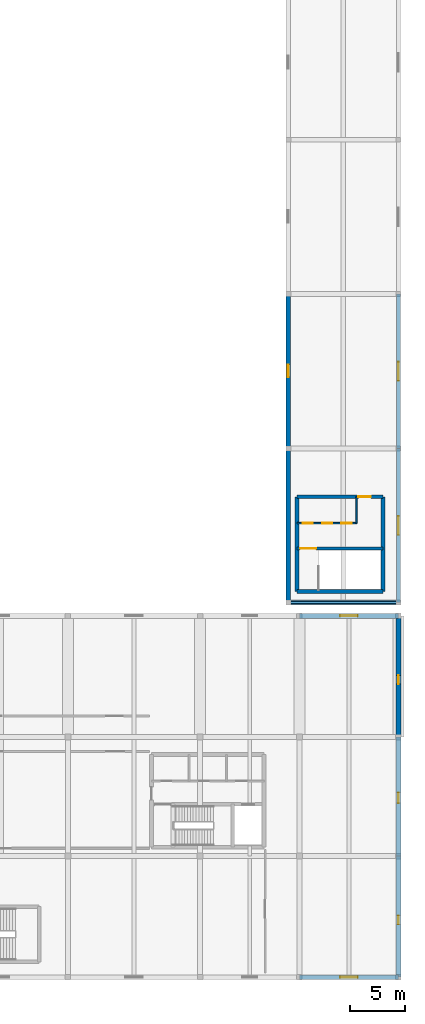
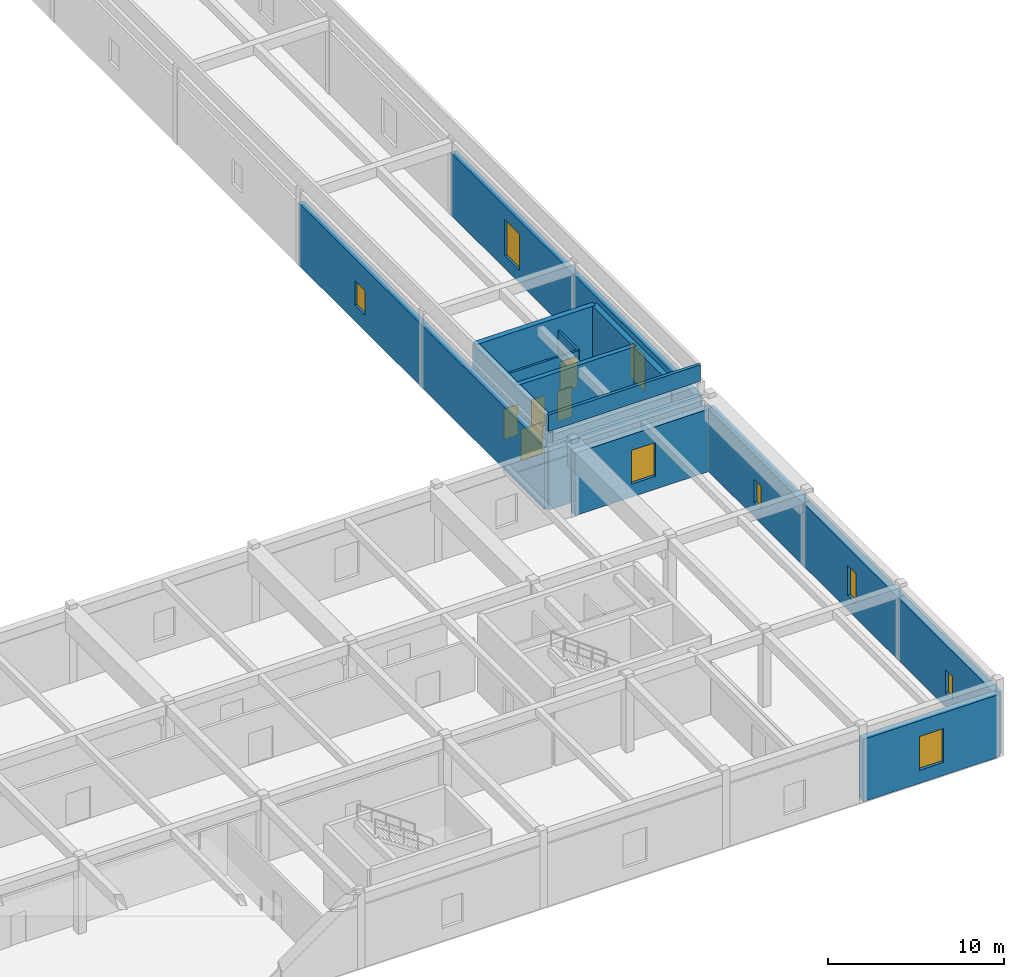
# One storey, part 84 of 97: 18 walls, 8 windows, 5 doors, 13 openings.
"""IFC4 building model written with IfcOpenShell, lengths in metres."""

from ifc_helpers import new_model, si_unit, derived_unit, direction, frame, frame_2d, origin, place, context, subcontext, project, spatial, rectangle, extrude, material, layer, layer_set, type_object, element, fill, save


model = new_model("IFC4")

# Units and contexts
model_context = context("Model", 3, precision=1e-05, world=origin(), true_north=direction((0.0, 1.0)))
body_context = subcontext(model_context, "Body", "Model", "MODEL_VIEW")
ifc_project = project(units=[si_unit("LENGTHUNIT", "METRE"), si_unit("AREAUNIT", "SQUARE_METRE"), si_unit("VOLUMEUNIT", "CUBIC_METRE"), si_unit("PLANEANGLEUNIT", "RADIAN"), si_unit("MASSUNIT", "GRAM", prefix="KILO"), derived_unit("THERMALTRANSMITTANCEUNIT", [(si_unit("POWERUNIT", "WATT"), 1), (si_unit("LENGTHUNIT", "METRE"), -2), (si_unit("THERMODYNAMICTEMPERATUREUNIT", "KELVIN"), -1)])], contexts=[model_context])

# Site, building, storey
site_placement = place(None, origin())
site = spatial("IfcSite", under=ifc_project, at=site_placement, CompositionType="ELEMENT")
building_placement = place(site_placement, origin())
building = spatial("IfcBuilding", under=site, at=building_placement, Name="Almenara Railside Exhibition Hall", CompositionType="ELEMENT")
storey_placement = place(building_placement, frame((0.0, 0.0, 10.800048828125)))
storey = spatial("IfcBuildingStorey", under=building, at=storey_placement, Name="L02", CompositionType="ELEMENT", Elevation=10.800048828125)

# Wall
ifc_material_1 = material(Name="Concrete C35/45", Category="concrete")
ifc_layer_1 = layer(ifc_material_1, 0.35009765625, Name="Concrete C35/45")
ifc_layer_set_1 = layer_set([ifc_layer_1], Name="Concrete C35/45")
wall_type_1 = type_object("IfcWallType", Name="Core Coupled Shear Wall 350mm C35/45", PredefinedType="SHEAR", material=ifc_layer_set_1)
wall_1_placement = place(storey_placement, frame((194.800048828125, 35.0, 0.0), z_axis=(0.0, 0.0, 1.0), x_axis=(1.0, 0.0, 0.0)))
element("IfcWall", 1, at=wall_1_placement, inside=storey, type_object=wall_type_1, Name="Interior wall 0258", PredefinedType="SHEAR", context=body_context, shape_type="SweptSolid", body=[
    extrude(rectangle(XDim=7.800048828125, YDim=0.35009765625, at=frame_2d((3.89990234375, 0.0))), origin(), (0.0, 0.0, 1.0), 5.39990234375),
])

# Wall, opening, door
wall_2_placement = place(storey_placement, frame((202.60009765625, 43.60009765625, 0.0), z_axis=(0.0, 0.0, 1.0), x_axis=(-1.0, 0.0, 0.0)))
wall_2 = element("IfcWall", 2, at=wall_2_placement, inside=storey, type_object=wall_type_1, Name="Interior wall 0259", PredefinedType="SHEAR", context=body_context, shape_type="SweptSolid", body=[
    extrude(rectangle(XDim=7.800048828125, YDim=0.35009765625, at=frame_2d((3.89990234375, 0.0))), origin(), (0.0, 0.0, 1.0), 5.39990234375),
])
opening_1_placement = place(wall_2_placement, frame((1.10009765625, 0.0, 0.0)))
opening_1 = element("IfcOpeningElement", 3, at=opening_1_placement, cuts=wall_2, Name="Opening FD-115", PredefinedType="OPENING", context=body_context, shape_type="SweptSolid", body=[
    extrude(rectangle(XDim=1.14990234375, YDim=2.14990234375, at=frame_2d((0.574951171875, 1.074951171875))), frame((0.0, 0.18505859375, 0.0), z_axis=(0.0, -1.0, 0.0), x_axis=(1.0, 0.0, 0.0)), (0.0, 0.0, 1.0), 0.3701171875),
])
ifc_material_2 = material(Name="Fire-rated iroko timber door", Category="wood")
door_type_1 = type_object("IfcDoorType", Name="Core Lobby Fire Door 1150x2150 EI60", OperationType="NOTDEFINED", PredefinedType="DOOR", material=ifc_material_2)
door_1_placement = place(opening_1_placement, origin())
door_1 = element("IfcDoor", 4, at=door_1_placement, inside=storey, type_object=door_type_1, Name="Interior door FD-115-173", OperationType="SINGLE_SWING_LEFT", OverallHeight=2.14990234375, OverallWidth=1.14990234375, PredefinedType="DOOR", context=body_context, shape_type="SweptSolid", body=[
    extrude(rectangle(XDim=1.14990234375, YDim=2.14990234375, at=frame_2d((0.574951171875, 1.074951171875))), frame((0.0, 0.02490234375, 0.0), z_axis=(0.0, -1.0, 0.0), x_axis=(1.0, 0.0, 0.0)), (0.0, 0.0, 1.0), 0.050048828125),
])
fill(opening_1, door_1)

# Walls
for number, where, z_axis, x_axis, name in (
    (5, (194.800048828125, 43.60009765625, 0.0), (0.0, 0.0, 1.0), (0.0, -1.0, 0.0), "Interior wall 0260"),
    (6, (202.60009765625, 35.0, 0.0), (0.0, 0.0, 1.0), (0.0, 1.0, 0.0), "Interior wall 0261"),
):
    element("IfcWall", number, at=place(storey_placement, frame(where, z_axis=z_axis, x_axis=x_axis)), inside=storey, type_object=wall_type_1, Name=name, PredefinedType="SHEAR", context=body_context, shape_type="SweptSolid", body=[
        extrude(rectangle(XDim=8.60009765625, YDim=0.35009765625, at=frame_2d((4.300048828125, 0.0))), origin(), (0.0, 0.0, 1.0), 5.39990234375),
    ])

# Wall, opening, window
ifc_material_3 = material(Name="Ochre-white lime-rendered masonry over Concrete C35/45", Category="masonry")
ifc_layer_2 = layer(ifc_material_3, 0.385009765625, Name="Ochre-white lime-rendered masonry over Concrete C35/45")
ifc_layer_set_2 = layer_set([ifc_layer_2], Name="Ochre-white lime-rendered masonry over Concrete C35/45")
wall_type_2 = type_object("IfcWallType", Name="Exterior Arcade Spandrel Wall 385mm C35/45", PredefinedType="SOLIDWALL", material=ifc_layer_set_2)
wall_3_placement = place(storey_placement, frame((204.0, 34.0, 0.0), z_axis=(0.0, 0.0, 1.0), x_axis=(0.0, 1.0, 0.0)))
wall_3 = element("IfcWall", 7, at=wall_3_placement, inside=storey, type_object=wall_type_2, Name="Exterior wall 0266", PredefinedType="SOLIDWALL", context=body_context, shape_type="SweptSolid", body=[
    extrude(rectangle(XDim=14.0, YDim=0.385009765625, at=frame_2d((7.0, 0.0))), origin(), (0.0, 0.0, 1.0), 4.349853515625),
])
opening_2_placement = place(wall_3_placement, frame((6.14990234375, 0.0, 0.89990234375)))
opening_2 = element("IfcOpeningElement", 8, at=opening_2_placement, cuts=wall_3, Name="Opening W-06", PredefinedType="OPENING", context=body_context, shape_type="SweptSolid", body=[
    extrude(rectangle(XDim=1.699951171875, YDim=2.5, at=frame_2d((0.85009765625, 1.25))), frame((0.0, 0.202392578125, 0.0), z_axis=(0.0, -1.0, 0.0), x_axis=(1.0, 0.0, 0.0)), (0.0, 0.0, 1.0), 0.405029296875),
])
ifc_material_4 = material(Name="Bronze-anodised aluminium and low-E double glazing", Category="aluminium")
window_type_1 = type_object("IfcWindowType", Name="East Gallery Arched Window 1700x2500", PartitioningType="DOUBLE_PANEL_VERTICAL", PredefinedType="WINDOW", material=ifc_material_4)
window_1_placement = place(opening_2_placement, origin())
window_1 = element("IfcWindow", 9, at=window_1_placement, inside=storey, type_object=window_type_1, Name="Window 0112", OverallHeight=2.5, OverallWidth=1.699951171875, PartitioningType="DOUBLE_PANEL_VERTICAL", PredefinedType="WINDOW", context=body_context, shape_type="SweptSolid", body=[
    extrude(rectangle(XDim=1.699951171875, YDim=2.5, at=frame_2d((0.85009765625, 1.25))), frame((0.0, 0.030029296875, 0.0), z_axis=(0.0, -1.0, 0.0), x_axis=(1.0, 0.0, 0.0)), (0.0, 0.0, 1.0), 0.06005859375),
])
fill(opening_2, window_1)

# Wall
wall_4_placement = place(storey_placement, frame((194.0, 48.0, 0.0), z_axis=(0.0, 0.0, 1.0), x_axis=(0.0, -1.0, 0.0)))
element("IfcWall", 10, at=wall_4_placement, inside=storey, type_object=wall_type_2, Name="Exterior wall 0267", PredefinedType="SOLIDWALL", context=body_context, shape_type="SweptSolid", body=[
    extrude(rectangle(XDim=14.0, YDim=0.385009765625, at=frame_2d((7.0, 0.0))), origin(), (0.0, 0.0, 1.0), 4.349853515625),
])

# Wall, opening, window
wall_5_placement = place(storey_placement, frame((204.0, 48.0, 0.0), z_axis=(0.0, 0.0, 1.0), x_axis=(0.0, 1.0, 0.0)))
wall_5 = element("IfcWall", 11, at=wall_5_placement, inside=storey, type_object=wall_type_2, Name="Exterior wall 0268", PredefinedType="SOLIDWALL", context=body_context, shape_type="SweptSolid", body=[
    extrude(rectangle(XDim=14.0, YDim=0.385009765625, at=frame_2d((7.0, 0.0))), origin(), (0.0, 0.0, 1.0), 4.349853515625),
])
opening_3_placement = place(wall_5_placement, frame((6.14990234375, 0.0, 0.89990234375)))
opening_3 = element("IfcOpeningElement", 12, at=opening_3_placement, cuts=wall_5, Name="Opening W-06", PredefinedType="OPENING", context=body_context, shape_type="SweptSolid", body=[
    extrude(rectangle(XDim=1.699951171875, YDim=2.5, at=frame_2d((0.85009765625, 1.25))), frame((0.0, 0.202392578125, 0.0), z_axis=(0.0, -1.0, 0.0), x_axis=(1.0, 0.0, 0.0)), (0.0, 0.0, 1.0), 0.405029296875),
])
window_2_placement = place(opening_3_placement, origin())
window_2 = element("IfcWindow", 13, at=window_2_placement, inside=storey, type_object=window_type_1, Name="Window 0113", OverallHeight=2.5, OverallWidth=1.699951171875, PartitioningType="DOUBLE_PANEL_VERTICAL", PredefinedType="WINDOW", context=body_context, shape_type="SweptSolid", body=[
    extrude(rectangle(XDim=1.699951171875, YDim=2.5, at=frame_2d((0.85009765625, 1.25))), frame((0.0, 0.030029296875, 0.0), z_axis=(0.0, -1.0, 0.0), x_axis=(1.0, 0.0, 0.0)), (0.0, 0.0, 1.0), 0.06005859375),
])
fill(opening_3, window_2)

wall_6_placement = place(storey_placement, frame((194.0, 62.0, 0.0), z_axis=(0.0, 0.0, 1.0), x_axis=(0.0, -1.0, 0.0)))
wall_6 = element("IfcWall", 14, at=wall_6_placement, inside=storey, type_object=wall_type_2, Name="Exterior wall 0269", PredefinedType="SOLIDWALL", context=body_context, shape_type="SweptSolid", body=[
    extrude(rectangle(XDim=14.0, YDim=0.385009765625, at=frame_2d((7.0, 0.0))), origin(), (0.0, 0.0, 1.0), 4.349853515625),
])
opening_4_placement = place(wall_6_placement, frame((6.39990234375, 0.0, 1.10009765625)))
opening_4 = element("IfcOpeningElement", 15, at=opening_4_placement, cuts=wall_6, Name="Opening W-11", PredefinedType="OPENING", context=body_context, shape_type="SweptSolid", body=[
    extrude(rectangle(XDim=1.14990234375, YDim=1.699951171875, at=frame_2d((0.574951171875, 0.85009765625))), frame((0.0, 0.202392578125, 0.0), z_axis=(0.0, -1.0, 0.0), x_axis=(1.0, 0.0, 0.0)), (0.0, 0.0, 1.0), 0.405029296875),
])
window_type_2 = type_object("IfcWindowType", Name="South Gallery Punched Window 1150x1700", PartitioningType="SINGLE_PANEL", PredefinedType="WINDOW", material=ifc_material_4)
window_3_placement = place(opening_4_placement, origin())
window_3 = element("IfcWindow", 16, at=window_3_placement, inside=storey, type_object=window_type_2, Name="Window 0114", OverallHeight=1.699951171875, OverallWidth=1.14990234375, PartitioningType="SINGLE_PANEL", PredefinedType="WINDOW", context=body_context, shape_type="SweptSolid", body=[
    extrude(rectangle(XDim=1.14990234375, YDim=1.699951171875, at=frame_2d((0.574951171875, 0.85009765625))), frame((0.0, 0.030029296875, 0.0), z_axis=(0.0, -1.0, 0.0), x_axis=(1.0, 0.0, 0.0)), (0.0, 0.0, 1.0), 0.06005859375),
])
fill(opening_4, window_3)

# Wall
wall_7_placement = place(storey_placement, frame((194.0, 34.0, 0.0), z_axis=(0.0, 0.0, 1.0), x_axis=(1.0, 0.0, 0.0)))
element("IfcWall", 17, at=wall_7_placement, inside=storey, type_object=wall_type_2, Name="Exterior wall 0278", PredefinedType="SOLIDWALL", context=body_context, shape_type="SweptSolid", body=[
    extrude(rectangle(XDim=10.0, YDim=0.385009765625, at=frame_2d((5.0, 0.0))), origin(), (0.0, 0.0, 1.0), 4.349853515625),
])

# Wall, opening, window
ifc_layer_3 = layer(ifc_material_3, 0.449951171875, Name="Ochre-white lime-rendered masonry over Concrete C35/45")
ifc_layer_set_3 = layer_set([ifc_layer_3], Name="Ochre-white lime-rendered masonry over Concrete C35/45")
wall_type_3 = type_object("IfcWallType", Name="Exterior Civic Stucco Wall 450mm C35/45", PredefinedType="SOLIDWALL", material=ifc_layer_set_3)
wall_8_placement = place(storey_placement, frame((195.0, 0.0, 0.0), z_axis=(0.0, 0.0, 1.0), x_axis=(1.0, 0.0, 0.0)))
wall_8 = element("IfcWall", 18, at=wall_8_placement, inside=storey, type_object=wall_type_3, Name="Exterior wall 0258", PredefinedType="SOLIDWALL", context=body_context, shape_type="SweptSolid", body=[
    extrude(rectangle(XDim=9.0, YDim=0.449951171875, at=frame_2d((4.5, 0.0))), origin(), (0.0, 0.0, 1.0), 4.349853515625),
])
opening_5_placement = place(wall_8_placement, frame((3.699951171875, 0.0, 0.89990234375)))
opening_5 = element("IfcOpeningElement", 19, at=opening_5_placement, cuts=wall_8, Name="Opening W-07", PredefinedType="OPENING", context=body_context, shape_type="SweptSolid", body=[
    extrude(rectangle(XDim=1.60009765625, YDim=2.35009765625, at=frame_2d((0.800048828125, 1.175048828125))), frame((0.0, 0.23486328125, 0.0), z_axis=(0.0, -1.0, 0.0), x_axis=(1.0, 0.0, 0.0)), (0.0, 0.0, 1.0), 0.469970703125),
])
window_type_3 = type_object("IfcWindowType", Name="Belvedere Casement Window 1600x2350", PartitioningType="DOUBLE_PANEL_VERTICAL", PredefinedType="WINDOW", material=ifc_material_4)
window_4_placement = place(opening_5_placement, origin())
window_4 = element("IfcWindow", 20, at=window_4_placement, inside=storey, type_object=window_type_3, Name="Window 0107", OverallHeight=2.35009765625, OverallWidth=1.60009765625, PartitioningType="DOUBLE_PANEL_VERTICAL", PredefinedType="WINDOW", context=body_context, shape_type="SweptSolid", body=[
    extrude(rectangle(XDim=1.60009765625, YDim=2.35009765625, at=frame_2d((0.800048828125, 1.175048828125))), frame((0.0, 0.030029296875, 0.0), z_axis=(0.0, -1.0, 0.0), x_axis=(1.0, 0.0, 0.0)), (0.0, 0.0, 1.0), 0.06005859375),
])
fill(opening_5, window_4)

wall_9_placement = place(storey_placement, frame((204.0, 32.800048828125, 0.0), z_axis=(0.0, 0.0, 1.0), x_axis=(-1.0, 0.0, 0.0)))
wall_9 = element("IfcWall", 21, at=wall_9_placement, inside=storey, type_object=wall_type_3, Name="Exterior wall 0259", PredefinedType="SOLIDWALL", context=body_context, shape_type="SweptSolid", body=[
    extrude(rectangle(XDim=9.0, YDim=0.449951171875, at=frame_2d((4.5, 0.0))), origin(), (0.0, 0.0, 1.0), 4.349853515625),
])
opening_6_placement = place(wall_9_placement, frame((3.699951171875, 0.0, 0.89990234375)))
opening_6 = element("IfcOpeningElement", 22, at=opening_6_placement, cuts=wall_9, Name="Opening W-07", PredefinedType="OPENING", context=body_context, shape_type="SweptSolid", body=[
    extrude(rectangle(XDim=1.60009765625, YDim=2.35009765625, at=frame_2d((0.800048828125, 1.175048828125))), frame((0.0, 0.23486328125, 0.0), z_axis=(0.0, -1.0, 0.0), x_axis=(1.0, 0.0, 0.0)), (0.0, 0.0, 1.0), 0.469970703125),
])
window_5_placement = place(opening_6_placement, origin())
window_5 = element("IfcWindow", 23, at=window_5_placement, inside=storey, type_object=window_type_3, Name="Window 0108", OverallHeight=2.35009765625, OverallWidth=1.60009765625, PartitioningType="DOUBLE_PANEL_VERTICAL", PredefinedType="WINDOW", context=body_context, shape_type="SweptSolid", body=[
    extrude(rectangle(XDim=1.60009765625, YDim=2.35009765625, at=frame_2d((0.800048828125, 1.175048828125))), frame((0.0, 0.030029296875, 0.0), z_axis=(0.0, -1.0, 0.0), x_axis=(1.0, 0.0, 0.0)), (0.0, 0.0, 1.0), 0.06005859375),
])
fill(opening_6, window_5)

wall_10_placement = place(storey_placement, frame((204.0, 0.0, 0.0), z_axis=(0.0, 0.0, 1.0), x_axis=(0.0, 1.0, 0.0)))
wall_10 = element("IfcWall", 24, at=wall_10_placement, inside=storey, type_object=wall_type_3, Name="Exterior wall 0260", PredefinedType="SOLIDWALL", context=body_context, shape_type="SweptSolid", body=[
    extrude(rectangle(XDim=11.0, YDim=0.449951171875, at=frame_2d((5.5, 0.0))), origin(), (0.0, 0.0, 1.0), 4.349853515625),
])
opening_7_placement = place(wall_10_placement, frame((4.800048828125, 0.0, 1.0)))
opening_7 = element("IfcOpeningElement", 25, at=opening_7_placement, cuts=wall_10, Name="Opening W-13", PredefinedType="OPENING", context=body_context, shape_type="SweptSolid", body=[
    extrude(rectangle(XDim=0.800048828125, YDim=1.60009765625, at=frame_2d((0.39990234375, 0.800048828125))), frame((0.0, 0.23486328125, 0.0), z_axis=(0.0, -1.0, 0.0), x_axis=(1.0, 0.0, 0.0)), (0.0, 0.0, 1.0), 0.469970703125),
])
window_type_4 = type_object("IfcWindowType", Name="Service Core Slot Window 800x1600", PartitioningType="SINGLE_PANEL", PredefinedType="WINDOW", material=ifc_material_4)
window_6_placement = place(opening_7_placement, origin())
window_6 = element("IfcWindow", 26, at=window_6_placement, inside=storey, type_object=window_type_4, Name="Window 0109", OverallHeight=1.60009765625, OverallWidth=0.800048828125, PartitioningType="SINGLE_PANEL", PredefinedType="WINDOW", context=body_context, shape_type="SweptSolid", body=[
    extrude(rectangle(XDim=0.800048828125, YDim=1.60009765625, at=frame_2d((0.39990234375, 0.800048828125))), frame((0.0, 0.030029296875, 0.0), z_axis=(0.0, -1.0, 0.0), x_axis=(1.0, 0.0, 0.0)), (0.0, 0.0, 1.0), 0.06005859375),
])
fill(opening_7, window_6)

wall_11_placement = place(storey_placement, frame((204.0, 11.0, 0.0), z_axis=(0.0, 0.0, 1.0), x_axis=(0.0, 1.0, 0.0)))
wall_11 = element("IfcWall", 27, at=wall_11_placement, inside=storey, type_object=wall_type_3, Name="Exterior wall 0262", PredefinedType="SOLIDWALL", context=body_context, shape_type="SweptSolid", body=[
    extrude(rectangle(XDim=10.800048828125, YDim=0.449951171875, at=frame_2d((5.39990234375, 0.0))), origin(), (0.0, 0.0, 1.0), 4.349853515625),
])
opening_8_placement = place(wall_11_placement, frame((4.800048828125, 0.0, 1.0)))
opening_8 = element("IfcOpeningElement", 28, at=opening_8_placement, cuts=wall_11, Name="Opening W-12", PredefinedType="OPENING", context=body_context, shape_type="SweptSolid", body=[
    extrude(rectangle(XDim=0.949951171875, YDim=2.10009765625, at=frame_2d((0.47509765625, 1.050048828125))), frame((0.0, 0.23486328125, 0.0), z_axis=(0.0, -1.0, 0.0), x_axis=(1.0, 0.0, 0.0)), (0.0, 0.0, 1.0), 0.469970703125),
])
window_type_5 = type_object("IfcWindowType", Name="Stair Core Daylight Window 950x2100", PartitioningType="SINGLE_PANEL", PredefinedType="WINDOW", material=ifc_material_4)
window_7_placement = place(opening_8_placement, origin())
window_7 = element("IfcWindow", 29, at=window_7_placement, inside=storey, type_object=window_type_5, Name="Window 0110", OverallHeight=2.10009765625, OverallWidth=0.949951171875, PartitioningType="SINGLE_PANEL", PredefinedType="WINDOW", context=body_context, shape_type="SweptSolid", body=[
    extrude(rectangle(XDim=0.949951171875, YDim=2.10009765625, at=frame_2d((0.47509765625, 1.050048828125))), frame((0.0, 0.030029296875, 0.0), z_axis=(0.0, -1.0, 0.0), x_axis=(1.0, 0.0, 0.0)), (0.0, 0.0, 1.0), 0.06005859375),
])
fill(opening_8, window_7)

wall_12_placement = place(storey_placement, frame((204.0, 21.800048828125, 0.0), z_axis=(0.0, 0.0, 1.0), x_axis=(0.0, 1.0, 0.0)))
wall_12 = element("IfcWall", 30, at=wall_12_placement, inside=storey, type_object=wall_type_3, Name="Exterior wall 0264", PredefinedType="SOLIDWALL", context=body_context, shape_type="SweptSolid", body=[
    extrude(rectangle(XDim=11.0, YDim=0.449951171875, at=frame_2d((5.5, 0.0))), origin(), (0.0, 0.0, 1.0), 4.349853515625),
])
opening_9_placement = place(wall_12_placement, frame((4.800048828125, 0.0, 1.0)))
opening_9 = element("IfcOpeningElement", 31, at=opening_9_placement, cuts=wall_12, Name="Opening W-13", PredefinedType="OPENING", context=body_context, shape_type="SweptSolid", body=[
    extrude(rectangle(XDim=0.800048828125, YDim=1.60009765625, at=frame_2d((0.39990234375, 0.800048828125))), frame((0.0, 0.23486328125, 0.0), z_axis=(0.0, -1.0, 0.0), x_axis=(1.0, 0.0, 0.0)), (0.0, 0.0, 1.0), 0.469970703125),
])
window_8_placement = place(opening_9_placement, origin())
window_8 = element("IfcWindow", 32, at=window_8_placement, inside=storey, type_object=window_type_4, Name="Window 0111", OverallHeight=1.60009765625, OverallWidth=0.800048828125, PartitioningType="SINGLE_PANEL", PredefinedType="WINDOW", context=body_context, shape_type="SweptSolid", body=[
    extrude(rectangle(XDim=0.800048828125, YDim=1.60009765625, at=frame_2d((0.39990234375, 0.800048828125))), frame((0.0, 0.030029296875, 0.0), z_axis=(0.0, -1.0, 0.0), x_axis=(1.0, 0.0, 0.0)), (0.0, 0.0, 1.0), 0.06005859375),
])
fill(opening_9, window_8)

# Wall, openings, doors
ifc_material_5 = material(Name="Moisture-resistant tiled masonry partition", Category="masonry")
ifc_layer_4 = layer(ifc_material_5, 0.139892578125, Name="Moisture-resistant tiled masonry partition")
ifc_layer_set_4 = layer_set([ifc_layer_4], Name="Moisture-resistant tiled masonry partition")
wall_type_4 = type_object("IfcWallType", Name="Sanitary Wet-Wall Partition 140mm", PredefinedType="PARTITIONING", material=ifc_layer_set_4)
wall_13_placement = place(storey_placement, frame((194.800048828125, 41.199951171875, 0.0), z_axis=(0.0, 0.0, 1.0), x_axis=(1.0, 0.0, 0.0)))
wall_13 = element("IfcWall", 33, at=wall_13_placement, inside=storey, type_object=wall_type_4, Name="Interior wall 0263", PredefinedType="PARTITIONING", context=body_context, shape_type="SweptSolid", body=[
    extrude(rectangle(XDim=5.39990234375, YDim=0.139892578125, at=frame_2d((2.699951171875, 0.0))), origin(), (0.0, 0.0, 1.0), 4.5),
])
opening_10_placement = place(wall_13_placement, frame((0.5, 0.0, 0.0)))
opening_10 = element("IfcOpeningElement", 34, at=opening_10_placement, cuts=wall_13, Name="Opening ID-09", PredefinedType="OPENING", context=body_context, shape_type="SweptSolid", body=[
    extrude(rectangle(XDim=0.89990234375, YDim=2.10009765625, at=frame_2d((0.449951171875, 1.050048828125))), frame((0.0, 0.079833984375, 0.0), z_axis=(0.0, -1.0, 0.0), x_axis=(1.0, 0.0, 0.0)), (0.0, 0.0, 1.0), 0.159912109375),
])
opening_11_placement = place(wall_13_placement, frame((2.300048828125, 0.0, 0.0)))
opening_11 = element("IfcOpeningElement", 35, at=opening_11_placement, cuts=wall_13, Name="Opening ID-09", PredefinedType="OPENING", context=body_context, shape_type="SweptSolid", body=[
    extrude(rectangle(XDim=0.89990234375, YDim=2.10009765625, at=frame_2d((0.449951171875, 1.050048828125))), frame((0.0, 0.079833984375, 0.0), z_axis=(0.0, -1.0, 0.0), x_axis=(1.0, 0.0, 0.0)), (0.0, 0.0, 1.0), 0.159912109375),
])
opening_12_placement = place(wall_13_placement, frame((4.0, 0.0, 0.0)))
opening_12 = element("IfcOpeningElement", 36, at=opening_12_placement, cuts=wall_13, Name="Opening ID-095", PredefinedType="OPENING", context=body_context, shape_type="SweptSolid", body=[
    extrude(rectangle(XDim=0.949951171875, YDim=2.10009765625, at=frame_2d((0.47509765625, 1.050048828125))), frame((0.0, 0.079833984375, 0.0), z_axis=(0.0, -1.0, 0.0), x_axis=(1.0, 0.0, 0.0)), (0.0, 0.0, 1.0), 0.159912109375),
])
ifc_material_6 = material(Name="Moisture-resistant hardwood door", Category="wood")
door_type_2 = type_object("IfcDoorType", Name="Accessible Toilet Door 950x2100", OperationType="NOTDEFINED", PredefinedType="DOOR", material=ifc_material_6)
door_2_placement = place(opening_12_placement, origin())
door_2 = element("IfcDoor", 37, at=door_2_placement, inside=storey, type_object=door_type_2, Name="Interior door ID-095-177", OperationType="SINGLE_SWING_RIGHT", OverallHeight=2.10009765625, OverallWidth=0.949951171875, PredefinedType="DOOR", context=body_context, shape_type="SweptSolid", body=[
    extrude(rectangle(XDim=0.949951171875, YDim=2.10009765625, at=frame_2d((0.47509765625, 1.050048828125))), frame((0.0, 0.02490234375, 0.0), z_axis=(0.0, -1.0, 0.0), x_axis=(1.0, 0.0, 0.0)), (0.0, 0.0, 1.0), 0.050048828125),
])
fill(opening_12, door_2)
door_type_3 = type_object("IfcDoorType", Name="Sanitary Lobby Single Door 900x2100", OperationType="NOTDEFINED", PredefinedType="DOOR", material=ifc_material_6)
door_3_placement = place(opening_10_placement, origin())
door_3 = element("IfcDoor", 38, at=door_3_placement, inside=storey, type_object=door_type_3, Name="Interior door ID-09-175", OperationType="SINGLE_SWING_RIGHT", OverallHeight=2.10009765625, OverallWidth=0.89990234375, PredefinedType="DOOR", context=body_context, shape_type="SweptSolid", body=[
    extrude(rectangle(XDim=0.89990234375, YDim=2.10009765625, at=frame_2d((0.449951171875, 1.050048828125))), frame((0.0, 0.02490234375, 0.0), z_axis=(0.0, -1.0, 0.0), x_axis=(1.0, 0.0, 0.0)), (0.0, 0.0, 1.0), 0.050048828125),
])
fill(opening_10, door_3)
door_4_placement = place(opening_11_placement, origin())
door_4 = element("IfcDoor", 39, at=door_4_placement, inside=storey, type_object=door_type_3, Name="Interior door ID-09-176", OperationType="SINGLE_SWING_LEFT", OverallHeight=2.10009765625, OverallWidth=0.89990234375, PredefinedType="DOOR", context=body_context, shape_type="SweptSolid", body=[
    extrude(rectangle(XDim=0.89990234375, YDim=2.10009765625, at=frame_2d((0.449951171875, 1.050048828125))), frame((0.0, 0.02490234375, 0.0), z_axis=(0.0, -1.0, 0.0), x_axis=(1.0, 0.0, 0.0)), (0.0, 0.0, 1.0), 0.050048828125),
])
fill(opening_11, door_4)

# Wall
wall_14_placement = place(storey_placement, frame((200.199951171875, 41.199951171875, 0.0), z_axis=(0.0, 0.0, 1.0), x_axis=(0.0, 1.0, 0.0)))
element("IfcWall", 40, at=wall_14_placement, inside=storey, type_object=wall_type_4, Name="Interior wall 0264", PredefinedType="PARTITIONING", context=body_context, shape_type="SweptSolid", body=[
    extrude(rectangle(XDim=2.400146484375, YDim=0.139892578125, at=frame_2d((1.2001953125, 0.0))), origin(), (0.0, 0.0, 1.0), 4.5),
])

# Wall, opening, door
ifc_layer_5 = layer(ifc_material_1, 0.300048828125, Name="Concrete C35/45")
ifc_layer_set_5 = layer_set([ifc_layer_5], Name="Concrete C35/45")
wall_type_5 = type_object("IfcWallType", Name="Stair and Lift Shaft Wall 300mm C35/45", PredefinedType="SHEAR", material=ifc_layer_set_5)
wall_15_placement = place(storey_placement, frame((194.800048828125, 38.89990234375, 0.0), z_axis=(0.0, 0.0, 1.0), x_axis=(1.0, 0.0, 0.0)))
wall_15 = element("IfcWall", 41, at=wall_15_placement, inside=storey, type_object=wall_type_5, Name="Interior wall 0262", PredefinedType="SHEAR", context=body_context, shape_type="SweptSolid", body=[
    extrude(rectangle(XDim=7.800048828125, YDim=0.300048828125, at=frame_2d((3.89990234375, 0.0))), origin(), (0.0, 0.0, 1.0), 5.39990234375),
])
opening_13_placement = place(wall_15_placement, frame((0.280029296875, 0.0, 0.0)))
opening_13 = element("IfcOpeningElement", 42, at=opening_13_placement, cuts=wall_15, Name="Opening FD-145", PredefinedType="OPENING", context=body_context, shape_type="SweptSolid", body=[
    extrude(rectangle(XDim=1.449951171875, YDim=2.14990234375, at=frame_2d((0.72509765625, 1.074951171875))), frame((0.0, 0.159912109375, 0.0), z_axis=(0.0, -1.0, 0.0), x_axis=(1.0, 0.0, 0.0)), (0.0, 0.0, 1.0), 0.320068359375),
])
ifc_material_7 = material(Name="Steel-framed fire-rated timber door", Category="steel")
door_type_4 = type_object("IfcDoorType", Name="Fire Escape Stair Door 1450x2150 EI60", OperationType="NOTDEFINED", PredefinedType="DOOR", material=ifc_material_7)
door_5_placement = place(opening_13_placement, origin())
door_5 = element("IfcDoor", 43, at=door_5_placement, inside=storey, type_object=door_type_4, Name="Interior door FD-145-174", OperationType="DOUBLE_DOOR_SINGLE_SWING", OverallHeight=2.14990234375, OverallWidth=1.449951171875, PredefinedType="DOOR", context=body_context, shape_type="SweptSolid", body=[
    extrude(rectangle(XDim=1.449951171875, YDim=2.14990234375, at=frame_2d((0.72509765625, 1.074951171875))), frame((0.0, 0.02490234375, 0.0), z_axis=(0.0, -1.0, 0.0), x_axis=(1.0, 0.0, 0.0)), (0.0, 0.0, 1.0), 0.050048828125),
])
fill(opening_13, door_5)

# Wall
ifc_material_8 = material(Name="Ochre-white lime-rendered Concrete C35/45", Category="concrete")
ifc_layer_6 = layer(ifc_material_8, 0.205078125, Name="Ochre-white lime-rendered Concrete C35/45")
ifc_layer_set_6 = layer_set([ifc_layer_6], Name="Ochre-white lime-rendered Concrete C35/45")
wall_type_6 = type_object("IfcWallType", Name="Stucco Roof Parapet Wall 205mm C35/45", PredefinedType="PARAPET", material=ifc_layer_set_6)
wall_16_placement = place(storey_placement, frame((194.0, 34.0, 5.39990234375), z_axis=(0.0, 0.0, 1.0), x_axis=(1.0, 0.0, 0.0)))
element("IfcWall", 44, at=wall_16_placement, inside=storey, type_object=wall_type_6, Name="Exterior wall 0297", PredefinedType="PARAPET", context=body_context, shape_type="SweptSolid", body=[
    extrude(rectangle(XDim=10.0, YDim=0.205078125, at=frame_2d((5.0, 0.0))), origin(), (0.0, 0.0, 1.0), 1.150146484375),
])

save(model, "model.ifc")
